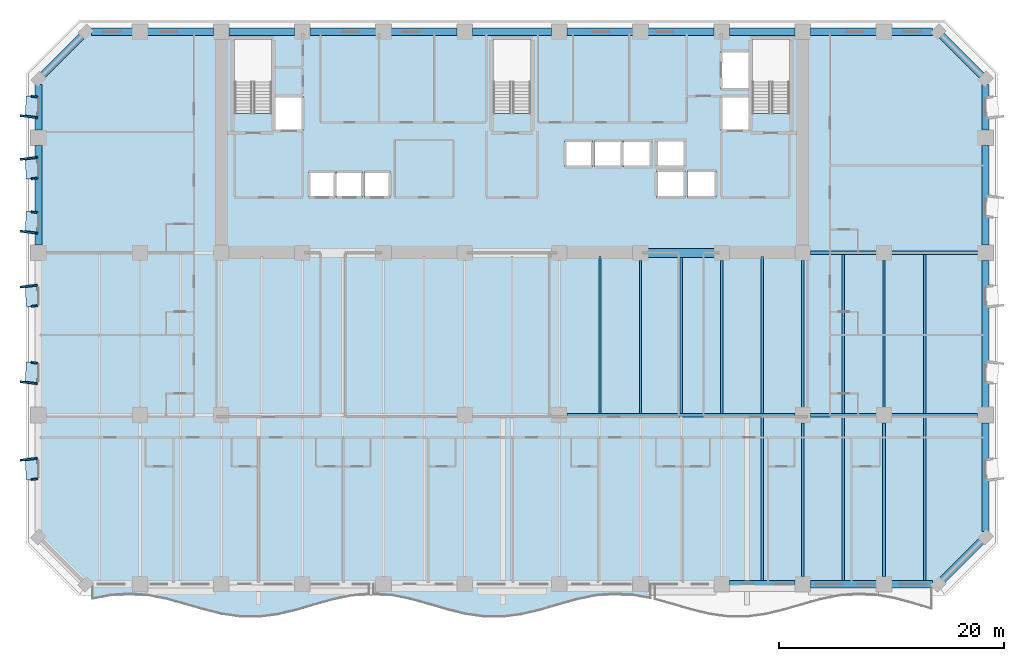
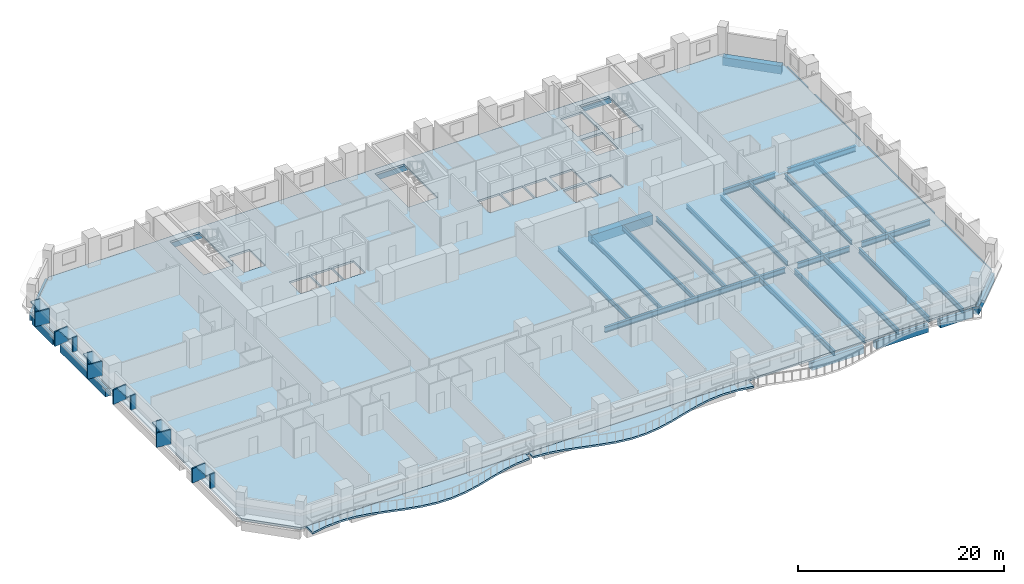
# One storey, part 2 of 15: 43 beams, 18 plates, 3 slabs.
"""IFC4 building model written with IfcOpenShell, lengths in metres."""

from ifc_helpers import new_model, si_unit, direction, frame, origin, origin_2d, place, context, subcontext, project, spatial, polyline, rectangle, i_section, outline, extrude, material, layer, layer_set, material_profile, profile_set, type_object, element, save


model = new_model("IFC4")

# Units and contexts
model_context = context("Model", 3, precision=1e-05, world=origin(), true_north=direction((0.0, 1.0)))
body_context = subcontext(model_context, "Body", "Model", "MODEL_VIEW")
ifc_project = project(units=[si_unit("LENGTHUNIT", "METRE"), si_unit("AREAUNIT", "SQUARE_METRE"), si_unit("VOLUMEUNIT", "CUBIC_METRE"), si_unit("PLANEANGLEUNIT", "RADIAN"), si_unit("MASSUNIT", "GRAM", prefix="KILO")], contexts=[model_context])

# Site, building, storey
site_placement = place(None, origin())
site = spatial("IfcSite", under=ifc_project, at=site_placement, CompositionType="ELEMENT")
building_placement = place(site_placement, origin())
building = spatial("IfcBuilding", under=site, at=building_placement, Name="Kaelvorn Grand Hotel", CompositionType="ELEMENT")
storey_placement = place(building_placement, frame((0.0, 0.0, 61.39990234375)))
storey = spatial("IfcBuildingStorey", under=building, at=storey_placement, Name="L13", CompositionType="ELEMENT", Elevation=61.39990234375)

# Beams
ifc_material_1 = material(Name="Steel S355", Category="steel")
ifc_material_profile_1 = material_profile(ifc_material_1, i_section(OverallWidth=0.300048828125, OverallDepth=0.64990234375, WebThickness=0.01611328125, FlangeThickness=0.031005859375, FilletRadius=0.027099609375, at=origin_2d()), Name="HEB 650")
ifc_profile_set_1 = profile_set([ifc_material_profile_1], Name="Steel S355")
beam_type_1 = type_object("IfcBeamType", Name="BM-G-HEB650-S355", PredefinedType="BEAM", material=ifc_profile_set_1)
beam_1_placement = place(storey_placement, frame((46.885009765625, 15.0, -0.56494140625), z_axis=(1.0, 0.0, 0.0), x_axis=(0.0, 1.0, 0.0)))
element("IfcBeam", 1, at=beam_1_placement, inside=storey, type_object=beam_type_1, Name="L13 Primary Spine Steel Girder G-15 05", PredefinedType="BEAM", context=body_context, shape_type="SweptSolid", body=[
    extrude(i_section(OverallWidth=0.300048828125, OverallDepth=0.64990234375, WebThickness=0.01611328125, FlangeThickness=0.031005859375, FilletRadius=0.027099609375, at=origin_2d()), origin(), (0.0, 0.0, 1.0), 20.22998046875),
])
beam_2_placement = place(storey_placement, frame((68.485107421875, 15.0, -0.56494140625), z_axis=(1.0, 0.0, 0.0), x_axis=(0.0, 1.0, 0.0)))
element("IfcBeam", 2, at=beam_2_placement, inside=storey, type_object=beam_type_1, Name="L13 Primary Spine Steel Girder G-15 06", PredefinedType="BEAM", context=body_context, shape_type="SweptSolid", body=[
    extrude(i_section(OverallWidth=0.300048828125, OverallDepth=0.64990234375, WebThickness=0.01611328125, FlangeThickness=0.031005859375, FilletRadius=0.027099609375, at=origin_2d()), origin(), (0.0, 0.0, 1.0), 5.829833984375),
])
beam_3_placement = place(storey_placement, frame((75.68505859375, 15.0, -0.56494140625), z_axis=(1.0, 0.0, 0.0), x_axis=(0.0, 1.0, 0.0)))
element("IfcBeam", 3, at=beam_3_placement, inside=storey, type_object=beam_type_1, Name="L13 Primary Spine Steel Girder G-15 07", PredefinedType="BEAM", context=body_context, shape_type="SweptSolid", body=[
    extrude(i_section(OverallWidth=0.300048828125, OverallDepth=0.64990234375, WebThickness=0.01611328125, FlangeThickness=0.031005859375, FilletRadius=0.027099609375, at=origin_2d()), origin(), (0.0, 0.0, 1.0), 7.6298828125),
])
beam_4_placement = place(storey_placement, frame((68.485107421875, 29.39990234375, -0.56494140625), z_axis=(1.0, 0.0, 0.0), x_axis=(0.0, 1.0, 0.0)))
element("IfcBeam", 4, at=beam_4_placement, inside=storey, type_object=beam_type_1, Name="L13 East Core Wing Steel Girder G-29E 01", PredefinedType="BEAM", context=body_context, shape_type="SweptSolid", body=[
    extrude(i_section(OverallWidth=0.300048828125, OverallDepth=0.64990234375, WebThickness=0.01611328125, FlangeThickness=0.031005859375, FilletRadius=0.027099609375, at=origin_2d()), origin(), (0.0, 0.0, 1.0), 5.829833984375),
])
beam_5_placement = place(storey_placement, frame((75.68505859375, 29.39990234375, -0.56494140625), z_axis=(1.0, 0.0, 0.0), x_axis=(0.0, 1.0, 0.0)))
element("IfcBeam", 5, at=beam_5_placement, inside=storey, type_object=beam_type_1, Name="L13 East Core Wing Steel Girder G-29E 02", PredefinedType="BEAM", context=body_context, shape_type="SweptSolid", body=[
    extrude(i_section(OverallWidth=0.300048828125, OverallDepth=0.64990234375, WebThickness=0.01611328125, FlangeThickness=0.031005859375, FilletRadius=0.027099609375, at=origin_2d()), origin(), (0.0, 0.0, 1.0), 7.6298828125),
])
ifc_material_profile_2 = material_profile(ifc_material_1, i_section(OverallWidth=0.209228515625, OverallDepth=0.533203125, WebThickness=0.010009765625, FlangeThickness=0.015625, FilletRadius=0.0126953125, at=origin_2d()), Name="UB 533x210x92")
ifc_profile_set_2 = profile_set([ifc_material_profile_2], Name="Steel S355")
beam_type_2 = type_object("IfcBeamType", Name="BM-J-UB533-S355", PredefinedType="JOIST", material=ifc_profile_set_2)
beam_6_placement = place(storey_placement, frame((49.800048828125, 15.135009765625, -0.50634765625), z_axis=(0.0, 1.0, 0.0), x_axis=(-1.0, 0.0, 0.0)))
element("IfcBeam", 6, at=beam_6_placement, inside=storey, type_object=beam_type_2, Name="L13 Composite Floor Joist JM-14", PredefinedType="JOIST", context=body_context, shape_type="SweptSolid", body=[
    extrude(i_section(OverallWidth=0.209228515625, OverallDepth=0.533203125, WebThickness=0.010009765625, FlangeThickness=0.015625, FilletRadius=0.0126953125, at=origin_2d()), origin(), (0.0, 0.0, 1.0), 13.925048828125),
])
beam_7_placement = place(storey_placement, frame((53.39990234375, 15.135009765625, -0.50634765625), z_axis=(0.0, 1.0, 0.0), x_axis=(-1.0, 0.0, 0.0)))
element("IfcBeam", 7, at=beam_7_placement, inside=storey, type_object=beam_type_2, Name="L13 Composite Floor Joist JM-15", PredefinedType="JOIST", context=body_context, shape_type="SweptSolid", body=[
    extrude(i_section(OverallWidth=0.209228515625, OverallDepth=0.533203125, WebThickness=0.010009765625, FlangeThickness=0.015625, FilletRadius=0.0126953125, at=origin_2d()), origin(), (0.0, 0.0, 1.0), 13.580078125),
])
beam_8_placement = place(storey_placement, frame((57.0, 15.135009765625, -0.50634765625), z_axis=(0.0, 1.0, 0.0), x_axis=(-1.0, 0.0, 0.0)))
element("IfcBeam", 8, at=beam_8_placement, inside=storey, type_object=beam_type_2, Name="L13 Composite Floor Joist JM-16", PredefinedType="JOIST", context=body_context, shape_type="SweptSolid", body=[
    extrude(i_section(OverallWidth=0.209228515625, OverallDepth=0.533203125, WebThickness=0.010009765625, FlangeThickness=0.015625, FilletRadius=0.0126953125, at=origin_2d()), origin(), (0.0, 0.0, 1.0), 13.925048828125),
])
beam_9_placement = place(storey_placement, frame((60.60009765625, 15.135009765625, -0.50634765625), z_axis=(0.0, 1.0, 0.0), x_axis=(-1.0, 0.0, 0.0)))
element("IfcBeam", 9, at=beam_9_placement, inside=storey, type_object=beam_type_2, Name="L13 Composite Floor Joist JM-17", PredefinedType="JOIST", context=body_context, shape_type="SweptSolid", body=[
    extrude(i_section(OverallWidth=0.209228515625, OverallDepth=0.533203125, WebThickness=0.010009765625, FlangeThickness=0.015625, FilletRadius=0.0126953125, at=origin_2d()), origin(), (0.0, 0.0, 1.0), 13.580078125),
])
beam_10_placement = place(storey_placement, frame((64.199951171875, 15.135009765625, -0.50634765625), z_axis=(0.0, 1.0, 0.0), x_axis=(-1.0, 0.0, 0.0)))
element("IfcBeam", 10, at=beam_10_placement, inside=storey, type_object=beam_type_2, Name="L13 Composite Floor Joist JM-18", PredefinedType="JOIST", context=body_context, shape_type="SweptSolid", body=[
    extrude(i_section(OverallWidth=0.209228515625, OverallDepth=0.533203125, WebThickness=0.010009765625, FlangeThickness=0.015625, FilletRadius=0.0126953125, at=origin_2d()), origin(), (0.0, 0.0, 1.0), 13.925048828125),
])
beam_11_placement = place(storey_placement, frame((67.800048828125, 15.68505859375, -0.50634765625), z_axis=(0.0, 1.0, 0.0), x_axis=(-1.0, 0.0, 0.0)))
element("IfcBeam", 11, at=beam_11_placement, inside=storey, type_object=beam_type_2, Name="L13 Composite Floor Joist JM-19", PredefinedType="JOIST", context=body_context, shape_type="SweptSolid", body=[
    extrude(i_section(OverallWidth=0.209228515625, OverallDepth=0.533203125, WebThickness=0.010009765625, FlangeThickness=0.015625, FilletRadius=0.0126953125, at=origin_2d()), origin(), (0.0, 0.0, 1.0), 13.030029296875),
])
beam_12_placement = place(storey_placement, frame((71.39990234375, 15.135009765625, -0.50634765625), z_axis=(0.0, 1.0, 0.0), x_axis=(-1.0, 0.0, 0.0)))
element("IfcBeam", 12, at=beam_12_placement, inside=storey, type_object=beam_type_2, Name="L13 Composite Floor Joist JM-20", PredefinedType="JOIST", context=body_context, shape_type="SweptSolid", body=[
    extrude(i_section(OverallWidth=0.209228515625, OverallDepth=0.533203125, WebThickness=0.010009765625, FlangeThickness=0.015625, FilletRadius=0.0126953125, at=origin_2d()), origin(), (0.0, 0.0, 1.0), 14.1298828125),
])
beam_13_placement = place(storey_placement, frame((75.0, 15.68505859375, -0.50634765625), z_axis=(0.0, 1.0, 0.0), x_axis=(-1.0, 0.0, 0.0)))
element("IfcBeam", 13, at=beam_13_placement, inside=storey, type_object=beam_type_2, Name="L13 Composite Floor Joist JM-21", PredefinedType="JOIST", context=body_context, shape_type="SweptSolid", body=[
    extrude(i_section(OverallWidth=0.209228515625, OverallDepth=0.533203125, WebThickness=0.010009765625, FlangeThickness=0.015625, FilletRadius=0.0126953125, at=origin_2d()), origin(), (0.0, 0.0, 1.0), 13.030029296875),
])
beam_14_placement = place(storey_placement, frame((78.60009765625, 15.135009765625, -0.50634765625), z_axis=(0.0, 1.0, 0.0), x_axis=(-1.0, 0.0, 0.0)))
element("IfcBeam", 14, at=beam_14_placement, inside=storey, type_object=beam_type_2, Name="L13 Composite Floor Joist JM-22", PredefinedType="JOIST", context=body_context, shape_type="SweptSolid", body=[
    extrude(i_section(OverallWidth=0.209228515625, OverallDepth=0.533203125, WebThickness=0.010009765625, FlangeThickness=0.015625, FilletRadius=0.0126953125, at=origin_2d()), origin(), (0.0, 0.0, 1.0), 14.1298828125),
])
ifc_material_profile_3 = material_profile(ifc_material_1, i_section(OverallWidth=0.22900390625, OverallDepth=0.6123046875, WebThickness=0.011962890625, FlangeThickness=0.01953125, FilletRadius=0.0126953125, at=origin_2d()), Name="UB 610x229x125")
ifc_profile_set_3 = profile_set([ifc_material_profile_3], Name="Steel S355")
beam_type_3 = type_object("IfcBeamType", Name="BM-J-UB610-S355", PredefinedType="JOIST", material=ifc_profile_set_3)
beam_15_placement = place(storey_placement, frame((64.199951171875, 0.31005859375, -0.5458984375), z_axis=(0.0, 1.0, 0.0), x_axis=(-1.0, 0.0, 0.0)))
element("IfcBeam", 15, at=beam_15_placement, inside=storey, type_object=beam_type_3, Name="L13 Composite Floor Joist JS-18", PredefinedType="JOIST", context=body_context, shape_type="SweptSolid", body=[
    extrude(i_section(OverallWidth=0.22900390625, OverallDepth=0.6123046875, WebThickness=0.011962890625, FlangeThickness=0.01953125, FilletRadius=0.0126953125, at=origin_2d()), origin(), (0.0, 0.0, 1.0), 14.554931640625),
])
beam_16_placement = place(storey_placement, frame((67.800048828125, 0.68505859375, -0.5458984375), z_axis=(0.0, 1.0, 0.0), x_axis=(-1.0, 0.0, 0.0)))
element("IfcBeam", 16, at=beam_16_placement, inside=storey, type_object=beam_type_3, Name="L13 Composite Floor Joist JS-19", PredefinedType="JOIST", context=body_context, shape_type="SweptSolid", body=[
    extrude(i_section(OverallWidth=0.22900390625, OverallDepth=0.6123046875, WebThickness=0.011962890625, FlangeThickness=0.01953125, FilletRadius=0.0126953125, at=origin_2d()), origin(), (0.0, 0.0, 1.0), 13.6298828125),
])
beam_17_placement = place(storey_placement, frame((71.39990234375, 0.31005859375, -0.5458984375), z_axis=(0.0, 1.0, 0.0), x_axis=(-1.0, 0.0, 0.0)))
element("IfcBeam", 17, at=beam_17_placement, inside=storey, type_object=beam_type_3, Name="L13 Composite Floor Joist JS-20", PredefinedType="JOIST", context=body_context, shape_type="SweptSolid", body=[
    extrude(i_section(OverallWidth=0.22900390625, OverallDepth=0.6123046875, WebThickness=0.011962890625, FlangeThickness=0.01953125, FilletRadius=0.0126953125, at=origin_2d()), origin(), (0.0, 0.0, 1.0), 14.554931640625),
])
beam_18_placement = place(storey_placement, frame((75.0, 0.68505859375, -0.5458984375), z_axis=(0.0, 1.0, 0.0), x_axis=(-1.0, 0.0, 0.0)))
element("IfcBeam", 18, at=beam_18_placement, inside=storey, type_object=beam_type_3, Name="L13 Composite Floor Joist JS-21", PredefinedType="JOIST", context=body_context, shape_type="SweptSolid", body=[
    extrude(i_section(OverallWidth=0.22900390625, OverallDepth=0.6123046875, WebThickness=0.011962890625, FlangeThickness=0.01953125, FilletRadius=0.0126953125, at=origin_2d()), origin(), (0.0, 0.0, 1.0), 13.6298828125),
])
beam_19_placement = place(storey_placement, frame((78.60009765625, 0.31005859375, -0.5458984375), z_axis=(0.0, 1.0, 0.0), x_axis=(-1.0, 0.0, 0.0)))
element("IfcBeam", 19, at=beam_19_placement, inside=storey, type_object=beam_type_3, Name="L13 Composite Floor Joist JS-22", PredefinedType="JOIST", context=body_context, shape_type="SweptSolid", body=[
    extrude(i_section(OverallWidth=0.22900390625, OverallDepth=0.6123046875, WebThickness=0.011962890625, FlangeThickness=0.01953125, FilletRadius=0.0126953125, at=origin_2d()), origin(), (0.0, 0.0, 1.0), 14.554931640625),
])
ifc_material_2 = material(Name="Concrete C60/75", Category="concrete")
ifc_material_profile_4 = material_profile(ifc_material_2, rectangle(XDim=0.800048828125, YDim=1.10009765625, at=origin_2d()), Name="RC LINTEL 800x1100")
ifc_profile_set_4 = profile_set([ifc_material_profile_4], Name="Concrete C60/75")
beam_type_4 = type_object("IfcBeamType", Name="BM-LIN-800x1100-C60", PredefinedType="LINTEL", material=ifc_profile_set_4)
beam_20_placement = place(storey_placement, frame((53.580078125, 29.39990234375, -0.789794921875), z_axis=(1.0, 0.0, 0.0), x_axis=(0.0, 1.0, 0.0)))
element("IfcBeam", 20, at=beam_20_placement, inside=storey, type_object=beam_type_4, Name="L13 Rear-Core Coupling Lintel Beam CB1-03", PredefinedType="LINTEL", context=body_context, shape_type="SweptSolid", body=[
    extrude(rectangle(XDim=0.800048828125, YDim=1.10009765625, at=origin_2d()), origin(), (0.0, 0.0, 1.0), 6.83984375),
])
ifc_material_profile_5 = material_profile(ifc_material_2, rectangle(XDim=0.64990234375, YDim=0.949951171875, at=origin_2d()), Name="RC SPANDREL 650x950")
ifc_profile_set_5 = profile_set([ifc_material_profile_5], Name="Concrete C60/75")
beam_type_5 = type_object("IfcBeamType", Name="BM-SP-650x950-C60", PredefinedType="SPANDREL", material=ifc_profile_set_5)
beam_21_placement = place(storey_placement, frame((61.284912109375, 0.0, -0.71484375), z_axis=(1.0, 0.0, 0.0), x_axis=(0.0, 1.0, 0.0)))
element("IfcBeam", 21, at=beam_21_placement, inside=storey, type_object=beam_type_5, Name="L13 South Perimeter Spandrel 09", PredefinedType="SPANDREL", context=body_context, shape_type="SweptSolid", body=[
    extrude(rectangle(XDim=0.64990234375, YDim=0.949951171875, at=origin_2d()), origin(), (0.0, 0.0, 1.0), 5.830078125),
])
beam_22_placement = place(storey_placement, frame((68.485107421875, 0.0, -0.71484375), z_axis=(1.0, 0.0, 0.0), x_axis=(0.0, 1.0, 0.0)))
element("IfcBeam", 22, at=beam_22_placement, inside=storey, type_object=beam_type_5, Name="L13 South Perimeter Spandrel 10", PredefinedType="SPANDREL", context=body_context, shape_type="SweptSolid", body=[
    extrude(rectangle(XDim=0.64990234375, YDim=0.949951171875, at=origin_2d()), origin(), (0.0, 0.0, 1.0), 5.829833984375),
])
for number, where, z_axis, x_axis, name in (
    (23, (75.68505859375, 0.0, -0.71484375), (1.0, 0.0, 0.0), (0.0, 1.0, 0.0), "L13 South Perimeter Spandrel 11"),
    (24, (4.68505859375, 49.0, -0.71484375), (1.0, 0.0, 0.0), (0.0, 1.0, 0.0), "L13 North Perimeter Spandrel 01"),
):
    element("IfcBeam", number, at=place(storey_placement, frame(where, z_axis=z_axis, x_axis=x_axis)), inside=storey, type_object=beam_type_5, Name=name, PredefinedType="SPANDREL", context=body_context, shape_type="SweptSolid", body=[
        extrude(rectangle(XDim=0.64990234375, YDim=0.949951171875, at=origin_2d()), origin(), (0.0, 0.0, 1.0), 3.6298828125),
    ])
beam_23_placement = place(storey_placement, frame((9.68505859375, 49.0, -0.71484375), z_axis=(1.0, 0.0, 0.0), x_axis=(0.0, 1.0, 0.0)))
element("IfcBeam", 25, at=beam_23_placement, inside=storey, type_object=beam_type_5, Name="L13 North Perimeter Spandrel 02", PredefinedType="SPANDREL", context=body_context, shape_type="SweptSolid", body=[
    extrude(rectangle(XDim=0.64990234375, YDim=0.949951171875, at=origin_2d()), origin(), (0.0, 0.0, 1.0), 5.829833984375),
])
for number, where, z_axis, x_axis, name in (
    (26, (16.885009765625, 49.0, -0.71484375), (1.0, 0.0, 0.0), (0.0, 1.0, 0.0), "L13 North Perimeter Spandrel 03"),
    (27, (24.0849609375, 49.0, -0.71484375), (1.0, 0.0, 0.0), (0.0, 1.0, 0.0), "L13 North Perimeter Spandrel 04"),
    (28, (31.284912109375, 49.0, -0.71484375), (1.0, 0.0, 0.0), (0.0, 1.0, 0.0), "L13 North Perimeter Spandrel 05"),
):
    element("IfcBeam", number, at=place(storey_placement, frame(where, z_axis=z_axis, x_axis=x_axis)), inside=storey, type_object=beam_type_5, Name=name, PredefinedType="SPANDREL", context=body_context, shape_type="SweptSolid", body=[
        extrude(rectangle(XDim=0.64990234375, YDim=0.949951171875, at=origin_2d()), origin(), (0.0, 0.0, 1.0), 5.830078125),
    ])
beam_24_placement = place(storey_placement, frame((38.485107421875, 49.0, -0.71484375), z_axis=(1.0, 0.0, 0.0), x_axis=(0.0, 1.0, 0.0)))
element("IfcBeam", 29, at=beam_24_placement, inside=storey, type_object=beam_type_5, Name="L13 North Perimeter Spandrel 06", PredefinedType="SPANDREL", context=body_context, shape_type="SweptSolid", body=[
    extrude(rectangle(XDim=0.64990234375, YDim=0.949951171875, at=origin_2d()), origin(), (0.0, 0.0, 1.0), 7.02978515625),
])
for number, where, z_axis, x_axis, name in (
    (30, (46.885009765625, 49.0, -0.71484375), (1.0, 0.0, 0.0), (0.0, 1.0, 0.0), "L13 North Perimeter Spandrel 07"),
    (31, (54.0849609375, 49.0, -0.71484375), (1.0, 0.0, 0.0), (0.0, 1.0, 0.0), "L13 North Perimeter Spandrel 08"),
    (32, (61.284912109375, 49.0, -0.71484375), (1.0, 0.0, 0.0), (0.0, 1.0, 0.0), "L13 North Perimeter Spandrel 09"),
):
    element("IfcBeam", number, at=place(storey_placement, frame(where, z_axis=z_axis, x_axis=x_axis)), inside=storey, type_object=beam_type_5, Name=name, PredefinedType="SPANDREL", context=body_context, shape_type="SweptSolid", body=[
        extrude(rectangle(XDim=0.64990234375, YDim=0.949951171875, at=origin_2d()), origin(), (0.0, 0.0, 1.0), 5.830078125),
    ])
beam_25_placement = place(storey_placement, frame((68.485107421875, 49.0, -0.71484375), z_axis=(1.0, 0.0, 0.0), x_axis=(0.0, 1.0, 0.0)))
element("IfcBeam", 33, at=beam_25_placement, inside=storey, type_object=beam_type_5, Name="L13 North Perimeter Spandrel 10", PredefinedType="SPANDREL", context=body_context, shape_type="SweptSolid", body=[
    extrude(rectangle(XDim=0.64990234375, YDim=0.949951171875, at=origin_2d()), origin(), (0.0, 0.0, 1.0), 5.829833984375),
])
beam_26_placement = place(storey_placement, frame((75.68505859375, 49.0, -0.71484375), z_axis=(1.0, 0.0, 0.0), x_axis=(0.0, 1.0, 0.0)))
element("IfcBeam", 34, at=beam_26_placement, inside=storey, type_object=beam_type_5, Name="L13 North Perimeter Spandrel 11", PredefinedType="SPANDREL", context=body_context, shape_type="SweptSolid", body=[
    extrude(rectangle(XDim=0.64990234375, YDim=0.949951171875, at=origin_2d()), origin(), (0.0, 0.0, 1.0), 3.6298828125),
])
beam_27_placement = place(storey_placement, frame((0.0, 30.0849609375, -0.71484375), z_axis=(0.0, 1.0, 0.0), x_axis=(-1.0, 0.0, 0.0)))
element("IfcBeam", 35, at=beam_27_placement, inside=storey, type_object=beam_type_5, Name="L13 West Perimeter Spandrel 03", PredefinedType="SPANDREL", context=body_context, shape_type="SweptSolid", body=[
    extrude(rectangle(XDim=0.64990234375, YDim=0.949951171875, at=origin_2d()), origin(), (0.0, 0.0, 1.0), 8.830078125),
])
beam_28_placement = place(storey_placement, frame((0.0, 40.284912109375, -0.71484375), z_axis=(0.0, 1.0, 0.0), x_axis=(-1.0, 0.0, 0.0)))
element("IfcBeam", 36, at=beam_28_placement, inside=storey, type_object=beam_type_5, Name="L13 West Perimeter Spandrel 04", PredefinedType="SPANDREL", context=body_context, shape_type="SweptSolid", body=[
    extrude(rectangle(XDim=0.64990234375, YDim=0.949951171875, at=origin_2d()), origin(), (0.0, 0.0, 1.0), 4.030029296875),
])
beam_29_placement = place(storey_placement, frame((84.0, 4.68505859375, -0.71484375), z_axis=(0.0, 1.0, 0.0), x_axis=(-1.0, 0.0, 0.0)))
element("IfcBeam", 37, at=beam_29_placement, inside=storey, type_object=beam_type_5, Name="L13 East Perimeter Spandrel 01", PredefinedType="SPANDREL", context=body_context, shape_type="SweptSolid", body=[
    extrude(rectangle(XDim=0.64990234375, YDim=0.949951171875, at=origin_2d()), origin(), (0.0, 0.0, 1.0), 9.6298828125),
])
beam_30_placement = place(storey_placement, frame((84.0, 15.68505859375, -0.71484375), z_axis=(0.0, 1.0, 0.0), x_axis=(-1.0, 0.0, 0.0)))
element("IfcBeam", 38, at=beam_30_placement, inside=storey, type_object=beam_type_5, Name="L13 East Perimeter Spandrel 02", PredefinedType="SPANDREL", context=body_context, shape_type="SweptSolid", body=[
    extrude(rectangle(XDim=0.64990234375, YDim=0.949951171875, at=origin_2d()), origin(), (0.0, 0.0, 1.0), 13.030029296875),
])
beam_31_placement = place(storey_placement, frame((84.0, 30.0849609375, -0.71484375), z_axis=(0.0, 1.0, 0.0), x_axis=(-1.0, 0.0, 0.0)))
element("IfcBeam", 39, at=beam_31_placement, inside=storey, type_object=beam_type_5, Name="L13 East Perimeter Spandrel 03", PredefinedType="SPANDREL", context=body_context, shape_type="SweptSolid", body=[
    extrude(rectangle(XDim=0.64990234375, YDim=0.949951171875, at=origin_2d()), origin(), (0.0, 0.0, 1.0), 8.830078125),
])
beam_32_placement = place(storey_placement, frame((84.0, 40.284912109375, -0.71484375), z_axis=(0.0, 1.0, 0.0), x_axis=(-1.0, 0.0, 0.0)))
element("IfcBeam", 40, at=beam_32_placement, inside=storey, type_object=beam_type_5, Name="L13 East Perimeter Spandrel 04", PredefinedType="SPANDREL", context=body_context, shape_type="SweptSolid", body=[
    extrude(rectangle(XDim=0.64990234375, YDim=0.949951171875, at=origin_2d()), origin(), (0.0, 0.0, 1.0), 4.030029296875),
])
for number, where, z_axis, x_axis, name in (
    (41, (79.800048828125, 0.0, -0.71484375), (0.707106781187, 0.707106781187, 0.0), (-0.707106781187, 0.707106781187, 0.0), "L13 Chamfer Spandrel Beam 1"),
    (42, (84.0, 44.800048828125, -0.71484375), (-0.707106781187, 0.707106781187, 0.0), (-0.707106781187, -0.707106781187, 0.0), "L13 Chamfer Spandrel Beam 2"),
    (43, (4.199951171875, 49.0, -0.71484375), (-0.707106781187, -0.707106781187, 0.0), (0.707106781187, -0.707106781187, 0.0), "L13 Chamfer Spandrel Beam 3"),
):
    element("IfcBeam", number, at=place(storey_placement, frame(where, z_axis=z_axis, x_axis=x_axis)), inside=storey, type_object=beam_type_5, Name=name, PredefinedType="SPANDREL", context=body_context, shape_type="SweptSolid", body=[
        extrude(rectangle(XDim=0.64990234375, YDim=0.949951171875, at=origin_2d()), origin(), (0.0, 0.0, 1.0), 5.939697265625),
    ])

# Plates
ifc_material_3 = material(Name="Precast concrete C45/55", Category="concrete")
ifc_layer_1 = layer(ifc_material_3, 0.159912109375)
ifc_layer_set_1 = layer_set([ifc_layer_1], Name="Precast concrete C45/55")
plate_type_1 = type_object("IfcPlateType", Name="PL-FRAME-DEEP-1550", PredefinedType="USERDEFINED", material=ifc_layer_set_1)
for number, where, z_axis, x_axis, name in (
    (44, (-0.864990234375, 11.090087890625, 0.68994140625), (0.0, 0.0, 1.0), (-0.121869343405, 0.992546151641, 0.0), "L13 Tilted Precast Window Frame Fin R-W01"),
    (45, (-0.864990234375, 17.8701171875, 0.68994140625), (0.0, 0.0, 1.0), (0.121869343405, 0.992546151641, 0.0), "L13 Tilted Precast Window Frame Fin L-W02"),
    (46, (-0.864990234375, 26.449951171875, 0.68994140625), (0.0, 0.0, 1.0), (-0.121869343405, 0.992546151641, 0.0), "L13 Tilted Precast Window Frame Fin R-W03"),
    (47, (-0.864990234375, 31.22509765625, 0.68994140625), (0.0, 0.0, 1.0), (0.121869343405, 0.992546151641, 0.0), "L13 Tilted Precast Window Frame Fin L-W04"),
    (48, (-0.864990234375, 37.77490234375, 0.68994140625), (0.0, 0.0, 1.0), (-0.121869343405, 0.992546151641, 0.0), "L13 Tilted Precast Window Frame Fin R-W05"),
    (49, (-0.864990234375, 41.47509765625, 0.68994140625), (0.0, 0.0, 1.0), (0.121869343405, 0.992546151641, 0.0), "L13 Tilted Precast Window Frame Fin L-W06"),
):
    element("IfcPlate", number, at=place(storey_placement, frame(where, z_axis=z_axis, x_axis=x_axis)), inside=storey, type_object=plate_type_1, Name=name, ObjectType="FLANGE_PLATE", PredefinedType="USERDEFINED", context=body_context, shape_type="SweptSolid", body=[
        extrude(rectangle(XDim=0.159912109375, YDim=1.550048828125, at=origin_2d()), origin(), (0.0, 0.0, 1.0), 1.719970703125),
    ])
ifc_layer_2 = layer(ifc_material_3, 0.159912109375)
ifc_layer_set_2 = layer_set([ifc_layer_2], Name="Precast concrete C45/55")
plate_type_2 = type_object("IfcPlateType", Name="PL-FRAME-HEAD-1050", PredefinedType="USERDEFINED", material=ifc_layer_set_2)
for number, where, z_axis, x_axis, name in (
    (50, (-0.614990234375, 10.199951171875, 2.25), (0.0, 0.0, 1.0), (-0.054950179912, 0.998489097451, 0.0), "L13 Precast Window Frame Head Hood H-W01"),
    (51, (-0.614990234375, 18.760009765625, 2.25), (0.0, 0.0, 1.0), (0.054950179912, 0.998489097451, 0.0), "L13 Precast Window Frame Head Hood H-W02"),
    (52, (-0.614990234375, 25.56005859375, 2.25), (0.0, 0.0, 1.0), (-0.054950179912, 0.998489097451, 0.0), "L13 Precast Window Frame Head Hood H-W03"),
    (53, (-0.614990234375, 32.114990234375, 2.25), (0.0, 0.0, 1.0), (0.054950179912, 0.998489097451, 0.0), "L13 Precast Window Frame Head Hood H-W04"),
    (54, (-0.614990234375, 36.885009765625, 2.25), (0.0, 0.0, 1.0), (-0.054950179912, 0.998489097451, 0.0), "L13 Precast Window Frame Head Hood H-W05"),
    (55, (-0.614990234375, 42.364990234375, 2.25), (0.0, 0.0, 1.0), (0.054950179912, 0.998489097451, 0.0), "L13 Precast Window Frame Head Hood H-W06"),
):
    element("IfcPlate", number, at=place(storey_placement, frame(where, z_axis=z_axis, x_axis=x_axis)), inside=storey, type_object=plate_type_2, Name=name, ObjectType="FLANGE_PLATE", PredefinedType="USERDEFINED", context=body_context, shape_type="SweptSolid", body=[
        extrude(rectangle(XDim=1.860107421875, YDim=1.050048828125, at=origin_2d()), origin(), (0.0, 0.0, 1.0), 0.159912109375),
    ])
ifc_layer_3 = layer(ifc_material_3, 0.159912109375)
ifc_layer_set_3 = layer_set([ifc_layer_3], Name="Precast concrete C45/55")
plate_type_3 = type_object("IfcPlateType", Name="PL-FRAME-SHAL-550", PredefinedType="USERDEFINED", material=ifc_layer_set_3)
for number, where, z_axis, x_axis, name in (
    (56, (-0.364990234375, 9.31005859375, 0.68994140625), (0.0, 0.0, 1.0), (-0.121869343405, 0.992546151641, 0.0), "L13 Tilted Precast Window Frame Fin L-W01"),
    (57, (-0.364990234375, 19.64990234375, 0.68994140625), (0.0, 0.0, 1.0), (0.121869343405, 0.992546151641, 0.0), "L13 Tilted Precast Window Frame Fin R-W02"),
    (58, (-0.364990234375, 24.669921875, 0.68994140625), (0.0, 0.0, 1.0), (-0.121869343405, 0.992546151641, 0.0), "L13 Tilted Precast Window Frame Fin L-W03"),
    (59, (-0.364990234375, 33.0048828125, 0.68994140625), (0.0, 0.0, 1.0), (0.121869343405, 0.992546151641, 0.0), "L13 Tilted Precast Window Frame Fin R-W04"),
    (60, (-0.364990234375, 35.9951171875, 0.68994140625), (0.0, 0.0, 1.0), (-0.121869343405, 0.992546151641, 0.0), "L13 Tilted Precast Window Frame Fin L-W05"),
    (61, (-0.364990234375, 43.2548828125, 0.68994140625), (0.0, 0.0, 1.0), (0.121869343405, 0.992546151641, 0.0), "L13 Tilted Precast Window Frame Fin R-W06"),
):
    element("IfcPlate", number, at=place(storey_placement, frame(where, z_axis=z_axis, x_axis=x_axis)), inside=storey, type_object=plate_type_3, Name=name, ObjectType="FLANGE_PLATE", PredefinedType="USERDEFINED", context=body_context, shape_type="SweptSolid", body=[
        extrude(rectangle(XDim=0.159912109375, YDim=0.550048828125, at=origin_2d()), origin(), (0.0, 0.0, 1.0), 1.719970703125),
    ])

# Slabs
ifc_material_4 = material(Name="Concrete C40/50", Category="concrete")
ifc_layer_4 = layer(ifc_material_4, 0.219970703125)
ifc_layer_set_4 = layer_set([ifc_layer_4], Name="Concrete C40/50")
slab_type_1 = type_object("IfcSlabType", Name="SLB-BALC-220-C40", PredefinedType="FLOOR", material=ifc_layer_set_4)
slab_1_placement = place(storey_placement, frame((0.0, 0.0, -0.219970703125)))
element("IfcSlab", 62, at=slab_1_placement, inside=storey, type_object=slab_type_1, Name="L13 Scalloped Wave Balcony Slab 1", PredefinedType="FLOOR", context=body_context, shape_type="SweptSolid", body=[
    extrude(outline(polyline([(4.800048828125, -1.2724609375), (6.435546875, -0.959716796875), (8.071044921875, -0.85009765625), (9.706787109375, -0.968017578125), (11.34228515625, -1.28759765625), (12.977783203125, -1.737548828125), (14.61328125, -2.218017578125), (16.248779296875, -2.622314453125), (17.884521484375, -2.860595703125), (19.52001953125, -2.880126953125), (21.155517578125, -2.676025390625), (22.791015625, -2.29443359375), (24.4267578125, -1.8193359375), (26.062255859375, -1.356689453125), (27.69775390625, -1.00927734375), (29.333251953125, -0.85400390625), (29.333251953125, 0.0), (4.800048828125, 0.0), (4.800048828125, -1.2724609375)])), origin(), (0.0, 0.0, 1.0), 0.219970703125),
])
slab_2_placement = place(storey_placement, frame((0.0, 0.0, -0.219970703125)))
element("IfcSlab", 63, at=slab_2_placement, inside=storey, type_object=slab_type_1, Name="L13 Scalloped Wave Balcony Slab 2", PredefinedType="FLOOR", context=body_context, shape_type="SweptSolid", body=[
    extrude(outline(polyline([(29.7333984375, -0.850341796875), (31.368896484375, -0.976806640625), (33.00439453125, -1.302978515625), (34.639892578125, -1.756103515625), (36.275634765625, -2.235595703125), (37.9111328125, -2.635009765625), (39.546630859375, -2.865478515625), (41.18212890625, -2.876220703125), (42.81787109375, -2.66455078125), (44.453369140625, -2.27734375), (46.0888671875, -1.80078125), (47.724365234375, -1.3408203125), (49.360107421875, -0.99951171875), (50.99560546875, -0.8525390625), (52.631103515625, -0.932861328125), (54.2666015625, -1.22216796875), (54.2666015625, 0.0), (29.7333984375, 0.0), (29.7333984375, -0.850341796875)])), origin(), (0.0, 0.0, 1.0), 0.219970703125),
])
ifc_layer_5 = layer(ifc_material_4, 0.239990234375)
ifc_layer_set_5 = layer_set([ifc_layer_5], Name="Concrete C40/50")
slab_type_2 = type_object("IfcSlabType", Name="SLB-FLR-240-C40", PredefinedType="FLOOR", material=ifc_layer_set_5)
slab_3_placement = place(storey_placement, frame((0.0, 0.0, -0.239990234375)))
element("IfcSlab", 64, at=slab_3_placement, inside=storey, type_object=slab_type_2, Name="L13 Indoor Suspended Floor Slab", PredefinedType="FLOOR", context=body_context, shape_type="SweptSolid", body=[
    extrude(outline(polyline([(4.199951171875, 0.0), (79.800048828125, 0.0), (84.0, 4.199951171875), (84.0, 44.800048828125), (79.800048828125, 49.0), (4.199951171875, 49.0), (0.0, 44.800048828125), (0.0, 4.199951171875), (4.199951171875, 0.0)]), holes=[polyline([(17.39990234375, 41.760009765625), (17.39990234375, 48.300048828125), (20.679931640625, 48.300048828125), (20.679931640625, 41.760009765625), (17.39990234375, 41.760009765625)]), polyline([(40.360107421875, 41.760009765625), (40.360107421875, 48.300048828125), (43.639892578125, 48.300048828125), (43.639892578125, 41.760009765625), (40.360107421875, 41.760009765625)]), polyline([(63.320068359375, 41.760009765625), (63.320068359375, 48.300048828125), (66.60009765625, 48.300048828125), (66.60009765625, 41.760009765625), (63.320068359375, 41.760009765625)]), polyline([(24.0, 34.300048828125), (24.0, 36.60009765625), (26.300048828125, 36.60009765625), (26.300048828125, 34.300048828125), (24.0, 34.300048828125)]), polyline([(26.449951171875, 34.300048828125), (26.449951171875, 36.60009765625), (28.75, 36.60009765625), (28.75, 34.300048828125), (26.449951171875, 34.300048828125)]), polyline([(28.89990234375, 34.300048828125), (28.89990234375, 36.60009765625), (31.199951171875, 36.60009765625), (31.199951171875, 34.300048828125), (28.89990234375, 34.300048828125)]), polyline([(46.699951171875, 37.0), (46.699951171875, 39.35009765625), (49.14990234375, 39.35009765625), (49.14990234375, 37.0), (46.699951171875, 37.0)]), polyline([(49.300048828125, 37.0), (49.300048828125, 39.35009765625), (51.75, 39.35009765625), (51.75, 37.0), (49.300048828125, 37.0)]), polyline([(51.89990234375, 37.0), (51.89990234375, 39.35009765625), (54.35009765625, 39.35009765625), (54.35009765625, 37.0), (51.89990234375, 37.0)]), polyline([(54.800048828125, 34.300048828125), (54.800048828125, 36.699951171875), (57.35009765625, 36.699951171875), (57.35009765625, 34.300048828125), (54.800048828125, 34.300048828125)]), polyline([(57.550048828125, 34.300048828125), (57.550048828125, 36.699951171875), (60.10009765625, 36.699951171875), (60.10009765625, 34.300048828125), (57.550048828125, 34.300048828125)]), polyline([(54.800048828125, 37.0), (54.800048828125, 39.39990234375), (57.35009765625, 39.39990234375), (57.35009765625, 37.0), (54.800048828125, 37.0)]), polyline([(21.0, 40.199951171875), (21.0, 43.300048828125), (23.449951171875, 43.300048828125), (23.449951171875, 40.199951171875), (21.0, 40.199951171875)]), polyline([(60.550048828125, 40.199951171875), (60.550048828125, 43.300048828125), (63.0, 43.300048828125), (63.0, 40.199951171875), (60.550048828125, 40.199951171875)]), polyline([(60.550048828125, 43.89990234375), (60.550048828125, 47.300048828125), (63.0, 47.300048828125), (63.0, 43.89990234375), (60.550048828125, 43.89990234375)])]), origin(), (0.0, 0.0, 1.0), 0.239990234375),
])

save(model, "model.ifc")
